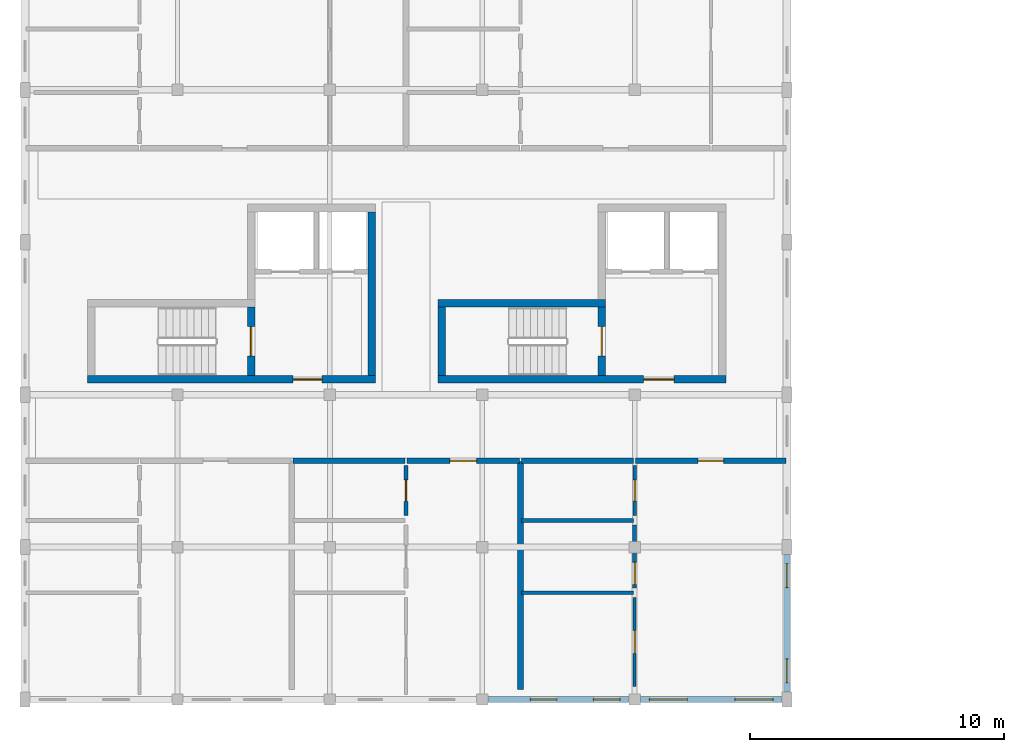
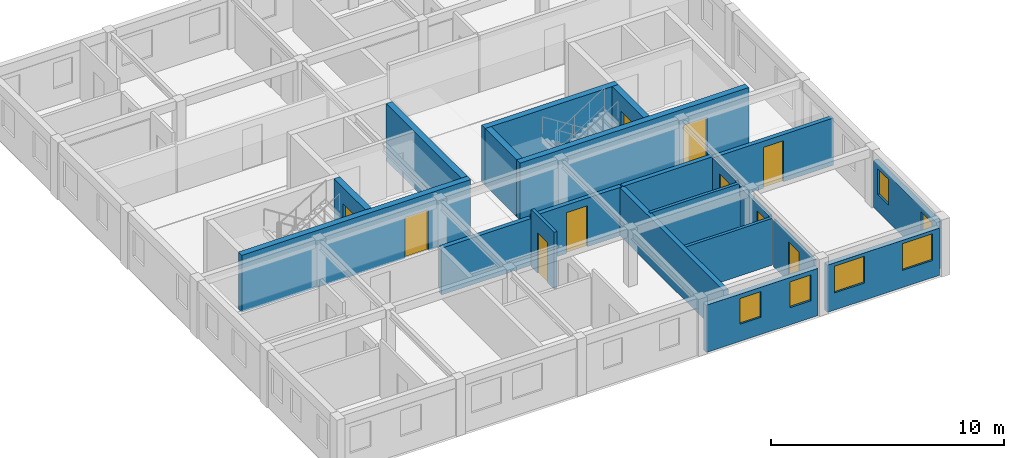
# One storey, part 3 of 9: 21 walls, 10 doors, 6 windows, 16 openings.
"""IFC4 building model written with IfcOpenShell, lengths in metres."""

import ifcopenshell
import ifcopenshell.guid

model = None  # the IFC model being written
_history = None  # IfcOwnerHistory: only IFC2X3 demands one
_inside = {}  # id of a spatial element -> (the spatial element, [elements in it])
_under = {}  # id of a project, library or spatial element -> (it, [spatial elements below it])
_declared = {}  # id of a project -> (the project, [libraries it declares])
_typed = {}  # id of a type object -> (the type object, [elements of that type])
_made_of = {}  # id of a material, layer set ... -> (it, [elements and type objects made of it])


def new_model(schema):
    """Start an empty IFC model of exactly this schema.

    Asked for "IFC4X3", IfcOpenShell would pick the latest addendum, in which some entities
    have other attributes; the version numbers below select the first issue.
    IFC2X3 requires an IfcOwnerHistory on every rooted entity: one is made here for all.
    """
    global model, _history
    if schema == "IFC4X3":
        model = ifcopenshell.file(schema_version=(4, 3, 0, 0))
    else:
        model = ifcopenshell.file(schema=schema)
    _inside.clear()
    _under.clear()
    _declared.clear()
    _typed.clear()
    _made_of.clear()
    _history = None
    if model.schema == "IFC2X3":
        org = make("IfcOrganization", Name="unknown")
        user = make(
            "IfcPersonAndOrganization",
            ThePerson=make("IfcPerson", FamilyName="unknown"),
            TheOrganization=org,
        )
        app = make(
            "IfcApplication",
            ApplicationDeveloper=org,
            Version="unknown",
            ApplicationFullName="unknown",
            ApplicationIdentifier="unknown",
        )
        _history = make(
            "IfcOwnerHistory",
            OwningUser=user,
            OwningApplication=app,
            ChangeAction="ADDED",
            CreationDate=0,
        )
    return model


def make(cls, **values):
    """One entity of the class cls with the attributes given. An attribute that is None is left unset."""
    return model.create_entity(
        cls, **{name: value for name, value in values.items() if value is not None}
    )


def rooted(cls, **values):
    """An entity with a GlobalId (a new one), such as an element, a storey or a relation."""
    return make(cls, GlobalId=ifcopenshell.guid.new(), OwnerHistory=_history, **values)


def si_unit(unit_type, name, prefix=None):
    """IfcSIUnit, for example si_unit("LENGTHUNIT", "METRE", prefix="MILLI")."""
    return make("IfcSIUnit", UnitType=unit_type, Prefix=prefix, Name=name)


def assignment(units):
    """IfcUnitAssignment: the units of a project."""
    return None if units is None else make("IfcUnitAssignment", Units=units)


def point(xyz):
    """IfcCartesianPoint."""
    return None if xyz is None else make("IfcCartesianPoint", Coordinates=xyz)


def direction(xyz):
    """IfcDirection."""
    return None if xyz is None else make("IfcDirection", DirectionRatios=xyz)


def frame(location, z_axis=None, x_axis=None):
    """IfcAxis2Placement3D, a coordinate frame: its origin and axes. An axis left out is left unset."""
    return make(
        "IfcAxis2Placement3D",
        Location=point(location),
        Axis=direction(z_axis),
        RefDirection=direction(x_axis),
    )


def frame_2d(location, x_axis=None):
    """IfcAxis2Placement2D, a coordinate frame in the plane: its origin and x axis."""
    return make(
        "IfcAxis2Placement2D", Location=point(location), RefDirection=direction(x_axis)
    )


def origin():
    """The frame at (0, 0, 0) with its axes left unset."""
    return frame((0.0, 0.0, 0.0))


def place(relative_to, where):
    """IfcLocalPlacement: puts the frame where relative to a parent placement (None: the world)."""
    return make(
        "IfcLocalPlacement", PlacementRelTo=relative_to, RelativePlacement=where
    )


def context(
    kind, dimensions, precision=None, world=None, true_north=None, identifier=None
):
    """IfcGeometricRepresentationContext, for example the 3D "Model" context."""
    return make(
        "IfcGeometricRepresentationContext",
        ContextIdentifier=identifier,
        ContextType=kind,
        CoordinateSpaceDimension=dimensions,
        Precision=precision,
        WorldCoordinateSystem=world,
        TrueNorth=true_north,
    )


def subcontext(parent, identifier, kind, view, scale=None):
    """IfcGeometricRepresentationSubContext, for example "Body" below "Model"."""
    return make(
        "IfcGeometricRepresentationSubContext",
        ContextIdentifier=identifier,
        ContextType=kind,
        ParentContext=parent,
        TargetScale=scale,
        TargetView=view,
    )


def project(units=None, contexts=None):
    """IfcProject with its units and contexts."""
    return rooted(
        "IfcProject",
        Name="project",
        RepresentationContexts=contexts,
        UnitsInContext=assignment(units),
    )


def spatial(cls, under=None, at=None, **own):
    """A site, building, storey or space (cls), placed at a placement, below another one or the project."""
    s = rooted(cls, ObjectPlacement=at, **own)
    if under is not None:
        _under.setdefault(under.id(), (under, []))[1].append(s)
    return s


def profile(cls, at=None, kind="AREA", **sizes):
    """A parametric profile (cls). Its sizes go by their IFC names, for example OverallWidth=200.0."""
    return make(cls, ProfileType=kind, Position=at, **sizes)


def rectangle(**sizes):
    """IfcRectangleProfileDef."""
    return profile("IfcRectangleProfileDef", **sizes)


def extrude(swept, where, along, depth):
    """IfcExtrudedAreaSolid: the profile swept, set in the frame where, extruded along a direction by depth."""
    return make(
        "IfcExtrudedAreaSolid",
        SweptArea=swept,
        Position=where,
        ExtrudedDirection=direction(along),
        Depth=depth,
    )


def shape(context_of_items, identifier, shape_type, items):
    """IfcShapeRepresentation: the items that make up one representation, for example the "Body"."""
    return make(
        "IfcShapeRepresentation",
        ContextOfItems=context_of_items,
        RepresentationIdentifier=identifier,
        RepresentationType=shape_type,
        Items=items,
    )


def material(Name=None, Category=None):
    """IfcMaterial."""
    return make("IfcMaterial", Name=Name, Category=Category)


def layer(
    of_material, thickness, ventilated=None, Name=None, Category=None, Priority=None
):
    """IfcMaterialLayer: one layer of a wall or slab, of a material (None: an air gap)."""
    return make(
        "IfcMaterialLayer",
        Material=of_material,
        LayerThickness=thickness,
        IsVentilated=ventilated,
        Name=Name,
        Category=Category,
        Priority=Priority,
    )


def layer_set(layers, Name=None):
    """IfcMaterialLayerSet."""
    return make("IfcMaterialLayerSet", MaterialLayers=layers, LayerSetName=Name)


def made_of(thing, what):
    """Note that an element or type object is made of a material, layer set ...; save() writes the relation."""
    if what is not None:
        _made_of.setdefault(what.id(), (what, []))[1].append(thing)
    return thing


def type_object(cls, material=None, **own):
    """A type object (cls), such as IfcWallType, which elements share."""
    return made_of(rooted(cls, **own), material)


def element(
    cls,
    number,
    at=None,
    inside=None,
    cuts=None,
    type_object=None,
    material=None,
    context=None,
    identifier="Body",
    shape_type=None,
    held_by="IfcProductDefinitionShape",
    body=None,
    shapes=None,
    **own,
):
    """One element of the class cls, such as IfcWall. Its Tag is "e" and its number.

    at: its placement. inside: the storey or other place that contains it. cuts: it is an
    opening in that element (IfcRelVoidsElement). A single representation is given by context,
    identifier, shape_type and body (its items); several are given by shapes. held_by: the class
    of the entity that holds the representations. save() writes the other relations.
    """
    e = rooted(cls, Tag="e%d" % number, ObjectPlacement=at, **own)
    if body is not None:
        shapes = [shape(context, identifier, shape_type, body)]
    if shapes is not None:
        e.Representation = make(held_by, Representations=shapes)
    if inside is not None:
        _inside.setdefault(inside.id(), (inside, []))[1].append(e)
    if cuts is not None:
        rooted(
            "IfcRelVoidsElement", RelatingBuildingElement=cuts, RelatedOpeningElement=e
        )
    if type_object is not None:
        _typed.setdefault(type_object.id(), (type_object, []))[1].append(e)
    return made_of(e, material)


def fill(opening, filler):
    """IfcRelFillsElement: the door or window that sits in an opening."""
    return rooted(
        "IfcRelFillsElement",
        RelatingOpeningElement=opening,
        RelatedBuildingElement=filler,
    )


def aggregate(whole, parts):
    """IfcRelAggregates: a whole, such as a stair, and the parts it consists of."""
    return rooted("IfcRelAggregates", RelatingObject=whole, RelatedObjects=parts)


def save(model, path):
    """Write the relations noted so far, then the file.

    IfcRelAggregates (storeys below a building ...), IfcRelContainedInSpatialStructure (elements
    in a storey), IfcRelDefinesByType, IfcRelAssociatesMaterial and IfcRelDeclares: one each for
    every whole, place, type object, material and project.
    """
    for whole, parts in _under.values():
        aggregate(whole, parts)
    for where, things in _inside.values():
        rooted(
            "IfcRelContainedInSpatialStructure",
            RelatedElements=things,
            RelatingStructure=where,
        )
    for kind, things in _typed.values():
        rooted("IfcRelDefinesByType", RelatedObjects=things, RelatingType=kind)
    for what, things in _made_of.values():
        rooted("IfcRelAssociatesMaterial", RelatedObjects=things, RelatingMaterial=what)
    for by, libraries in _declared.values():
        rooted("IfcRelDeclares", RelatingContext=by, RelatedDefinitions=libraries)
    model.write(path)


model = new_model("IFC4")

# Units and contexts
model_context = context("Model", 3, precision=1e-05, world=origin(), true_north=direction((0.0, 1.0)))
body_context = subcontext(model_context, "Body", "Model", "MODEL_VIEW")
ifc_project = project(units=[si_unit("LENGTHUNIT", "METRE"), si_unit("AREAUNIT", "SQUARE_METRE"), si_unit("VOLUMEUNIT", "CUBIC_METRE"), si_unit("PLANEANGLEUNIT", "RADIAN"), si_unit("MASSUNIT", "GRAM", prefix="KILO"), si_unit("POWERUNIT", "WATT"), si_unit("THERMODYNAMICTEMPERATUREUNIT", "KELVIN")], contexts=[model_context])

# Site, building, storey
site_placement = place(None, origin())
site = spatial("IfcSite", under=ifc_project, at=site_placement, CompositionType="ELEMENT")
building_placement = place(site_placement, origin())
building = spatial("IfcBuilding", under=site, at=building_placement, Name="Ruvembo Vaulted Housing Court", CompositionType="ELEMENT")
storey_placement = place(building_placement, frame((0.0, 0.0, 36.5)))
storey = spatial("IfcBuildingStorey", under=building, at=storey_placement, Name="L11", CompositionType="ELEMENT", Elevation=36.5)

# Wall, opening, door
ifc_material_1 = material(Name="Concrete C35/45", Category="concrete")
ifc_layer_1 = layer(ifc_material_1, 0.300048828125, Name="Concrete C35/45")
ifc_layer_set_1 = layer_set([ifc_layer_1], Name="Concrete C35/45")
wall_type_1 = type_object("IfcWallType", Name="WL-CORE-300", PredefinedType="SHEAR", material=ifc_layer_set_1)
wall_1_placement = place(storey_placement, frame((2.449951171875, 18.60009765625, 0.0), z_axis=(0.0, 0.0, 1.0), x_axis=(1.0, 0.0, 0.0)))
wall_1 = element("IfcWall", 1, at=wall_1_placement, inside=storey, type_object=wall_type_1, Name="Core A1 L11 South Shear Wall", PredefinedType="SHEAR", context=body_context, shape_type="SweptSolid", body=[
    extrude(rectangle(XDim=11.35009765625, YDim=0.300048828125, at=frame_2d((5.675048828125, 0.0))), origin(), (0.0, 0.0, 1.0), 2.9951171875),
])
opening_1_placement = place(wall_1_placement, frame((8.10009765625, 0.0, 0.0)))
opening_1 = element("IfcOpeningElement", 2, at=opening_1_placement, cuts=wall_1, Name="Opening LD0", PredefinedType="OPENING", context=body_context, shape_type="SweptSolid", body=[
    extrude(rectangle(XDim=1.14990234375, YDim=2.14990234375, at=frame_2d((0.574951171875, 1.074951171875))), frame((0.0, 0.159912109375, 0.0), z_axis=(0.0, -1.0, 0.0), x_axis=(1.0, 0.0, 0.0)), (0.0, 0.0, 1.0), 0.320068359375),
])
ifc_material_2 = material(Name="Galvanised Painted Steel", Category="steel")
door_type_1 = type_object("IfcDoorType", Name="DR-LOB-1150x2150", OperationType="NOTDEFINED", PredefinedType="DOOR", material=ifc_material_2)
door_1_placement = place(opening_1_placement, origin())
door_1 = element("IfcDoor", 3, at=door_1_placement, inside=storey, type_object=door_type_1, Name="Core A1 L11 Lobby Fire Door", OperationType="SINGLE_SWING_LEFT", OverallHeight=2.14990234375, OverallWidth=1.14990234375, PredefinedType="DOOR", context=body_context, shape_type="SweptSolid", body=[
    extrude(rectangle(XDim=1.14990234375, YDim=2.14990234375, at=frame_2d((0.574951171875, 1.074951171875))), frame((0.0, 0.02490234375, 0.0), z_axis=(0.0, -1.0, 0.0), x_axis=(1.0, 0.0, 0.0)), (0.0, 0.0, 1.0), 0.050048828125),
])
fill(opening_1, door_1)

wall_2_placement = place(storey_placement, frame((8.89990234375, 18.75, 0.0), z_axis=(0.0, 0.0, 1.0), x_axis=(0.0, 1.0, 0.0)))
wall_2 = element("IfcWall", 4, at=wall_2_placement, inside=storey, type_object=wall_type_1, Name="Core A1 L11 Stair-Lobby Shear Wall", PredefinedType="SHEAR", context=body_context, shape_type="SweptSolid", body=[
    extrude(rectangle(XDim=2.699951171875, YDim=0.300048828125, at=frame_2d((1.35009765625, 0.0))), origin(), (0.0, 0.0, 1.0), 2.9951171875),
])
opening_2_placement = place(wall_2_placement, frame((0.77490234375, 0.0, 0.0)))
opening_2 = element("IfcOpeningElement", 5, at=opening_2_placement, cuts=wall_2, Name="Opening SD1", PredefinedType="OPENING", context=body_context, shape_type="SweptSolid", body=[
    extrude(rectangle(XDim=1.14990234375, YDim=2.14990234375, at=frame_2d((0.574951171875, 1.074951171875))), frame((0.0, 0.159912109375, 0.0), z_axis=(0.0, -1.0, 0.0), x_axis=(1.0, 0.0, 0.0)), (0.0, 0.0, 1.0), 0.320068359375),
])
door_type_2 = type_object("IfcDoorType", Name="DR-STAIR-1150x2150", OperationType="NOTDEFINED", PredefinedType="DOOR", material=ifc_material_2)
door_2_placement = place(opening_2_placement, origin())
door_2 = element("IfcDoor", 6, at=door_2_placement, inside=storey, type_object=door_type_2, Name="Stair ST-A1 L11 Fire Door", OperationType="SINGLE_SWING_RIGHT", OverallHeight=2.14990234375, OverallWidth=1.14990234375, PredefinedType="DOOR", context=body_context, shape_type="SweptSolid", body=[
    extrude(rectangle(XDim=1.14990234375, YDim=2.14990234375, at=frame_2d((0.574951171875, 1.074951171875))), frame((0.0, 0.02490234375, 0.0), z_axis=(0.0, -1.0, 0.0), x_axis=(1.0, 0.0, 0.0)), (0.0, 0.0, 1.0), 0.050048828125),
])
fill(opening_2, door_2)

# Wall
wall_3_placement = place(storey_placement, frame((13.64990234375, 18.75, 0.0), z_axis=(0.0, 0.0, 1.0), x_axis=(0.0, 1.0, 0.0)))
element("IfcWall", 7, at=wall_3_placement, inside=storey, type_object=wall_type_1, Name="Core A1 L11 East Shear Wall", PredefinedType="SHEAR", context=body_context, shape_type="SweptSolid", body=[
    extrude(rectangle(XDim=6.449951171875, YDim=0.300048828125, at=frame_2d((3.22509765625, 0.0))), origin(), (0.0, 0.0, 1.0), 2.9951171875),
])

# Wall, opening, door
wall_4_placement = place(storey_placement, frame((16.25, 18.60009765625, 0.0), z_axis=(0.0, 0.0, 1.0), x_axis=(1.0, 0.0, 0.0)))
wall_4 = element("IfcWall", 8, at=wall_4_placement, inside=storey, type_object=wall_type_1, Name="Core A2 L11 South Shear Wall", PredefinedType="SHEAR", context=body_context, shape_type="SweptSolid", body=[
    extrude(rectangle(XDim=11.35009765625, YDim=0.300048828125, at=frame_2d((5.675048828125, 0.0))), origin(), (0.0, 0.0, 1.0), 2.9951171875),
])
opening_3_placement = place(wall_4_placement, frame((8.10009765625, 0.0, 0.0)))
opening_3 = element("IfcOpeningElement", 9, at=opening_3_placement, cuts=wall_4, Name="Opening LD3", PredefinedType="OPENING", context=body_context, shape_type="SweptSolid", body=[
    extrude(rectangle(XDim=1.199951171875, YDim=2.14990234375, at=frame_2d((0.60009765625, 1.074951171875))), frame((0.0, 0.159912109375, 0.0), z_axis=(0.0, -1.0, 0.0), x_axis=(1.0, 0.0, 0.0)), (0.0, 0.0, 1.0), 0.320068359375),
])
door_type_3 = type_object("IfcDoorType", Name="DR-LOB-1200x2150", OperationType="NOTDEFINED", PredefinedType="DOOR", material=ifc_material_2)
door_3_placement = place(opening_3_placement, origin())
door_3 = element("IfcDoor", 10, at=door_3_placement, inside=storey, type_object=door_type_3, Name="Core A2 L11 Lobby Fire Door", OperationType="SINGLE_SWING_LEFT", OverallHeight=2.14990234375, OverallWidth=1.199951171875, PredefinedType="DOOR", context=body_context, shape_type="SweptSolid", body=[
    extrude(rectangle(XDim=1.199951171875, YDim=2.14990234375, at=frame_2d((0.60009765625, 1.074951171875))), frame((0.0, 0.02490234375, 0.0), z_axis=(0.0, -1.0, 0.0), x_axis=(1.0, 0.0, 0.0)), (0.0, 0.0, 1.0), 0.050048828125),
])
fill(opening_3, door_3)

# Walls
wall_5_placement = place(storey_placement, frame((22.85009765625, 21.60009765625, 0.0), z_axis=(0.0, 0.0, 1.0), x_axis=(-1.0, 0.0, 0.0)))
element("IfcWall", 11, at=wall_5_placement, inside=storey, type_object=wall_type_1, Name="Core A2 L11 Stair North Shear Wall", PredefinedType="SHEAR", context=body_context, shape_type="SweptSolid", body=[
    extrude(rectangle(XDim=6.60009765625, YDim=0.300048828125, at=frame_2d((3.300048828125, 0.0))), origin(), (0.0, 0.0, 1.0), 2.9951171875),
])
wall_6_placement = place(storey_placement, frame((16.39990234375, 21.449951171875, 0.0), z_axis=(0.0, 0.0, 1.0), x_axis=(0.0, -1.0, 0.0)))
element("IfcWall", 12, at=wall_6_placement, inside=storey, type_object=wall_type_1, Name="Core A2 L11 Stair West Shear Wall", PredefinedType="SHEAR", context=body_context, shape_type="SweptSolid", body=[
    extrude(rectangle(XDim=2.699951171875, YDim=0.300048828125, at=frame_2d((1.35009765625, 0.0))), origin(), (0.0, 0.0, 1.0), 2.9951171875),
])

# Wall, opening, door
wall_7_placement = place(storey_placement, frame((22.699951171875, 18.75, 0.0), z_axis=(0.0, 0.0, 1.0), x_axis=(0.0, 1.0, 0.0)))
wall_7 = element("IfcWall", 13, at=wall_7_placement, inside=storey, type_object=wall_type_1, Name="Core A2 L11 Stair-Lobby Shear Wall", PredefinedType="SHEAR", context=body_context, shape_type="SweptSolid", body=[
    extrude(rectangle(XDim=2.699951171875, YDim=0.300048828125, at=frame_2d((1.35009765625, 0.0))), origin(), (0.0, 0.0, 1.0), 2.9951171875),
])
opening_4_placement = place(wall_7_placement, frame((0.77490234375, 0.0, 0.0)))
opening_4 = element("IfcOpeningElement", 14, at=opening_4_placement, cuts=wall_7, Name="Opening SD1", PredefinedType="OPENING", context=body_context, shape_type="SweptSolid", body=[
    extrude(rectangle(XDim=1.14990234375, YDim=2.14990234375, at=frame_2d((0.574951171875, 1.074951171875))), frame((0.0, 0.159912109375, 0.0), z_axis=(0.0, -1.0, 0.0), x_axis=(1.0, 0.0, 0.0)), (0.0, 0.0, 1.0), 0.320068359375),
])
door_4_placement = place(opening_4_placement, origin())
door_4 = element("IfcDoor", 15, at=door_4_placement, inside=storey, type_object=door_type_2, Name="Stair ST-A2 L11 Fire Door", OperationType="SINGLE_SWING_RIGHT", OverallHeight=2.14990234375, OverallWidth=1.14990234375, PredefinedType="DOOR", context=body_context, shape_type="SweptSolid", body=[
    extrude(rectangle(XDim=1.14990234375, YDim=2.14990234375, at=frame_2d((0.574951171875, 1.074951171875))), frame((0.0, 0.02490234375, 0.0), z_axis=(0.0, -1.0, 0.0), x_axis=(1.0, 0.0, 0.0)), (0.0, 0.0, 1.0), 0.050048828125),
])
fill(opening_4, door_4)

# Wall
ifc_material_3 = material(Name="Concrete Blockwork 210", Category="masonry")
ifc_layer_2 = layer(ifc_material_3, 0.2099609375, Name="Concrete Blockwork 210")
ifc_layer_set_2 = layer_set([ifc_layer_2], Name="Concrete Blockwork 210")
wall_type_2 = type_object("IfcWallType", Name="WL-CORR-210", PredefinedType="SOLIDWALL", material=ifc_layer_set_2)
wall_8_placement = place(storey_placement, frame((10.5400390625, 15.39990234375, 0.0), z_axis=(0.0, 0.0, 1.0), x_axis=(1.0, 0.0, 0.0)))
element("IfcWall", 16, at=wall_8_placement, inside=storey, type_object=wall_type_2, Name="L11 Flat A-L11-S2 Corridor Wall WL-INT-L11-02273", PredefinedType="SOLIDWALL", context=body_context, shape_type="SweptSolid", body=[
    extrude(rectangle(XDim=4.419921875, YDim=0.2099609375, at=frame_2d((2.2099609375, 0.0))), origin(), (0.0, 0.0, 1.0), 2.4580078125),
])

# Wall, opening, door
wall_9_placement = place(storey_placement, frame((15.0400390625, 15.39990234375, 0.0), z_axis=(0.0, 0.0, 1.0), x_axis=(1.0, 0.0, 0.0)))
wall_9 = element("IfcWall", 17, at=wall_9_placement, inside=storey, type_object=wall_type_2, Name="L11 Flat A-L11-S2 Entrance WL-INT-L11-02274", PredefinedType="SOLIDWALL", context=body_context, shape_type="SweptSolid", body=[
    extrude(rectangle(XDim=4.419921875, YDim=0.2099609375, at=frame_2d((2.2099609375, 0.0))), origin(), (0.0, 0.0, 1.0), 2.548095703125),
])
opening_5_placement = place(wall_9_placement, frame((1.68505859375, 0.0, 0.0)))
opening_5 = element("IfcOpeningElement", 18, at=opening_5_placement, cuts=wall_9, Name="Opening FD3", PredefinedType="OPENING", context=body_context, shape_type="SweptSolid", body=[
    extrude(rectangle(XDim=1.050048828125, YDim=2.14990234375, at=frame_2d((0.52490234375, 1.074951171875))), frame((0.0, 0.114990234375, 0.0), z_axis=(0.0, -1.0, 0.0), x_axis=(1.0, 0.0, 0.0)), (0.0, 0.0, 1.0), 0.22998046875),
])
ifc_material_4 = material(Name="FSC Hardwood and Engineered Timber", Category="wood")
door_type_4 = type_object("IfcDoorType", Name="DR-FLAT-1050x2150", OperationType="NOTDEFINED", PredefinedType="DOOR", material=ifc_material_4)
door_5_placement = place(opening_5_placement, origin())
door_5 = element("IfcDoor", 19, at=door_5_placement, inside=storey, type_object=door_type_4, Name="L11 Flat A-L11-S2 Entrance Door DR-INT-L11-01259", OperationType="SINGLE_SWING_LEFT", OverallHeight=2.14990234375, OverallWidth=1.050048828125, PredefinedType="DOOR", context=body_context, shape_type="SweptSolid", body=[
    extrude(rectangle(XDim=1.050048828125, YDim=2.14990234375, at=frame_2d((0.52490234375, 1.074951171875))), frame((0.0, 0.02490234375, 0.0), z_axis=(0.0, -1.0, 0.0), x_axis=(1.0, 0.0, 0.0)), (0.0, 0.0, 1.0), 0.050048828125),
])
fill(opening_5, door_5)

# Wall
wall_10_placement = place(storey_placement, frame((19.5400390625, 15.39990234375, 0.0), z_axis=(0.0, 0.0, 1.0), x_axis=(1.0, 0.0, 0.0)))
element("IfcWall", 20, at=wall_10_placement, inside=storey, type_object=wall_type_2, Name="L11 Flat A-L11-S3 Corridor Wall WL-INT-L11-02280", PredefinedType="SOLIDWALL", context=body_context, shape_type="SweptSolid", body=[
    extrude(rectangle(XDim=4.419921875, YDim=0.2099609375, at=frame_2d((2.2099609375, 0.0))), origin(), (0.0, 0.0, 1.0), 2.548095703125),
])

# Wall, opening, door
wall_11_placement = place(storey_placement, frame((24.0400390625, 15.39990234375, 0.0), z_axis=(0.0, 0.0, 1.0), x_axis=(1.0, 0.0, 0.0)))
wall_11 = element("IfcWall", 21, at=wall_11_placement, inside=storey, type_object=wall_type_2, Name="L11 Flat A-L11-S3 Entrance WL-INT-L11-02281", PredefinedType="SOLIDWALL", context=body_context, shape_type="SweptSolid", body=[
    extrude(rectangle(XDim=5.919921875, YDim=0.2099609375, at=frame_2d((2.9599609375, 0.0))), origin(), (0.0, 0.0, 1.0), 2.47705078125),
])
opening_6_placement = place(wall_11_placement, frame((2.4599609375, 0.0, 0.0)))
opening_6 = element("IfcOpeningElement", 22, at=opening_6_placement, cuts=wall_11, Name="Opening FD1", PredefinedType="OPENING", context=body_context, shape_type="SweptSolid", body=[
    extrude(rectangle(XDim=1.0, YDim=2.14990234375, at=frame_2d((0.5, 1.074951171875))), frame((0.0, 0.114990234375, 0.0), z_axis=(0.0, -1.0, 0.0), x_axis=(1.0, 0.0, 0.0)), (0.0, 0.0, 1.0), 0.22998046875),
])
door_type_5 = type_object("IfcDoorType", Name="DR-FLAT-1000x2150", OperationType="NOTDEFINED", PredefinedType="DOOR", material=ifc_material_4)
door_6_placement = place(opening_6_placement, origin())
door_6 = element("IfcDoor", 23, at=door_6_placement, inside=storey, type_object=door_type_5, Name="L11 Flat A-L11-S3 Entrance Door DR-INT-L11-01263", OperationType="SINGLE_SWING_LEFT", OverallHeight=2.14990234375, OverallWidth=1.0, PredefinedType="DOOR", context=body_context, shape_type="SweptSolid", body=[
    extrude(rectangle(XDim=1.0, YDim=2.14990234375, at=frame_2d((0.5, 1.074951171875))), frame((0.0, 0.02490234375, 0.0), z_axis=(0.0, -1.0, 0.0), x_axis=(1.0, 0.0, 0.0)), (0.0, 0.0, 1.0), 0.050048828125),
])
fill(opening_6, door_6)

# Wall
ifc_material_5 = material(Name="Acoustic Masonry Demising 230", Category="masonry")
ifc_layer_3 = layer(ifc_material_5, 0.22998046875, Name="Acoustic Masonry Demising 230")
ifc_layer_set_3 = layer_set([ifc_layer_3], Name="Acoustic Masonry Demising 230")
wall_type_3 = type_object("IfcWallType", Name="WL-DEM-230", PredefinedType="SOLIDWALL", material=ifc_layer_set_3)
wall_12_placement = place(storey_placement, frame((19.5, 6.389892578125, 0.0), z_axis=(0.0, 0.0, 1.0), x_axis=(0.0, 1.0, 0.0)))
element("IfcWall", 24, at=wall_12_placement, inside=storey, type_object=wall_type_3, Name="L11 Demising A-L11-S2 WL-INT-L11-02272", PredefinedType="SOLIDWALL", context=body_context, shape_type="SweptSolid", body=[
    extrude(rectangle(XDim=8.97021484375, YDim=0.22998046875, at=frame_2d((4.485107421875, 0.0))), origin(), (0.0, 0.0, 1.0), 2.527099609375),
])

# Wall, openings, windows
ifc_material_6 = material(Name="Rendered Masonry 245", Category="masonry")
ifc_layer_4 = layer(ifc_material_6, 0.2451171875, Name="Rendered Masonry 245")
ifc_layer_set_4 = layer_set([ifc_layer_4], Name="Rendered Masonry 245")
wall_type_4 = type_object("IfcWallType", Name="WL-EXT-245", PredefinedType="STANDARD", material=ifc_layer_set_4)
wall_13_placement = place(storey_placement, frame((18.22509765625, 6.0, 0.0), z_axis=(0.0, 0.0, 1.0), x_axis=(1.0, 0.0, 0.0)))
wall_13 = element("IfcWall", 25, at=wall_13_placement, inside=storey, type_object=wall_type_4, Name="Block A L11 Exterior Wall STREET #4", PredefinedType="STANDARD", context=body_context, shape_type="SweptSolid", body=[
    extrude(rectangle(XDim=5.5498046875, YDim=0.2451171875, at=frame_2d((2.77490234375, 0.0))), origin(), (0.0, 0.0, 1.0), 2.47705078125),
])
opening_7_placement = place(wall_13_placement, frame((1.6650390625, 0.0, 0.89990234375)))
opening_7 = element("IfcOpeningElement", 26, at=opening_7_placement, cuts=wall_13, Name="Opening W09", PredefinedType="OPENING", context=body_context, shape_type="SweptSolid", body=[
    extrude(rectangle(XDim=1.050048828125, YDim=1.35009765625, at=frame_2d((0.52490234375, 0.675048828125))), frame((0.0, 0.132568359375, 0.0), z_axis=(0.0, -1.0, 0.0), x_axis=(1.0, 0.0, 0.0)), (0.0, 0.0, 1.0), 0.26513671875),
])
opening_8_placement = place(wall_13_placement, frame((4.14990234375, 0.0, 0.89990234375)))
opening_8 = element("IfcOpeningElement", 27, at=opening_8_placement, cuts=wall_13, Name="Opening W09", PredefinedType="OPENING", context=body_context, shape_type="SweptSolid", body=[
    extrude(rectangle(XDim=1.050048828125, YDim=1.35009765625, at=frame_2d((0.52490234375, 0.675048828125))), frame((0.0, 0.132568359375, 0.0), z_axis=(0.0, -1.0, 0.0), x_axis=(1.0, 0.0, 0.0)), (0.0, 0.0, 1.0), 0.26513671875),
])
ifc_material_7 = material(Name="Double Solar-Control Glazing in Aluminium Frame", Category="aluminium")
window_type_1 = type_object("IfcWindowType", Name="WIN-1050x1350", PartitioningType="SINGLE_PANEL", PredefinedType="WINDOW", material=ifc_material_7)
window_1_placement = place(opening_7_placement, origin())
window_1 = element("IfcWindow", 28, at=window_1_placement, inside=storey, type_object=window_type_1, Name="Block A L11 Window #477", OverallHeight=1.35009765625, OverallWidth=1.050048828125, PartitioningType="SINGLE_PANEL", PredefinedType="WINDOW", context=body_context, shape_type="SweptSolid", body=[
    extrude(rectangle(XDim=1.050048828125, YDim=1.35009765625, at=frame_2d((0.52490234375, 0.675048828125))), frame((0.0, 0.030029296875, 0.0), z_axis=(0.0, -1.0, 0.0), x_axis=(1.0, 0.0, 0.0)), (0.0, 0.0, 1.0), 0.06005859375),
])
fill(opening_7, window_1)
window_2_placement = place(opening_8_placement, origin())
window_2 = element("IfcWindow", 29, at=window_2_placement, inside=storey, type_object=window_type_1, Name="Block A L11 Window #478", OverallHeight=1.35009765625, OverallWidth=1.050048828125, PartitioningType="SINGLE_PANEL", PredefinedType="WINDOW", context=body_context, shape_type="SweptSolid", body=[
    extrude(rectangle(XDim=1.050048828125, YDim=1.35009765625, at=frame_2d((0.52490234375, 0.675048828125))), frame((0.0, 0.030029296875, 0.0), z_axis=(0.0, -1.0, 0.0), x_axis=(1.0, 0.0, 0.0)), (0.0, 0.0, 1.0), 0.06005859375),
])
fill(opening_8, window_2)

wall_14_placement = place(storey_placement, frame((24.22509765625, 6.0, 0.0), z_axis=(0.0, 0.0, 1.0), x_axis=(1.0, 0.0, 0.0)))
wall_14 = element("IfcWall", 30, at=wall_14_placement, inside=storey, type_object=wall_type_4, Name="Block A L11 Exterior Wall STREET #5", PredefinedType="STANDARD", context=body_context, shape_type="SweptSolid", body=[
    extrude(rectangle(XDim=5.574951171875, YDim=0.2451171875, at=frame_2d((2.78759765625, 0.0))), origin(), (0.0, 0.0, 1.0), 2.47705078125),
])
opening_9_placement = place(wall_14_placement, frame((0.35009765625, 0.0, 0.89990234375)))
opening_9 = element("IfcOpeningElement", 31, at=opening_9_placement, cuts=wall_14, Name="Opening W18", PredefinedType="OPENING", context=body_context, shape_type="SweptSolid", body=[
    extrude(rectangle(XDim=1.5, YDim=1.39990234375, at=frame_2d((0.75, 0.699951171875))), frame((0.0, 0.132568359375, 0.0), z_axis=(0.0, -1.0, 0.0), x_axis=(1.0, 0.0, 0.0)), (0.0, 0.0, 1.0), 0.26513671875),
])
opening_10_placement = place(wall_14_placement, frame((3.72509765625, 0.0, 0.89990234375)))
opening_10 = element("IfcOpeningElement", 32, at=opening_10_placement, cuts=wall_14, Name="Opening W18", PredefinedType="OPENING", context=body_context, shape_type="SweptSolid", body=[
    extrude(rectangle(XDim=1.5, YDim=1.39990234375, at=frame_2d((0.75, 0.699951171875))), frame((0.0, 0.132568359375, 0.0), z_axis=(0.0, -1.0, 0.0), x_axis=(1.0, 0.0, 0.0)), (0.0, 0.0, 1.0), 0.26513671875),
])
window_type_2 = type_object("IfcWindowType", Name="WIN-1500x1400", PartitioningType="SINGLE_PANEL", PredefinedType="WINDOW", material=ifc_material_7)
window_3_placement = place(opening_9_placement, origin())
window_3 = element("IfcWindow", 33, at=window_3_placement, inside=storey, type_object=window_type_2, Name="Block A L11 Window #479", OverallHeight=1.39990234375, OverallWidth=1.5, PartitioningType="SINGLE_PANEL", PredefinedType="WINDOW", context=body_context, shape_type="SweptSolid", body=[
    extrude(rectangle(XDim=1.5, YDim=1.39990234375, at=frame_2d((0.75, 0.699951171875))), frame((0.0, 0.030029296875, 0.0), z_axis=(0.0, -1.0, 0.0), x_axis=(1.0, 0.0, 0.0)), (0.0, 0.0, 1.0), 0.06005859375),
])
fill(opening_9, window_3)
window_4_placement = place(opening_10_placement, origin())
window_4 = element("IfcWindow", 34, at=window_4_placement, inside=storey, type_object=window_type_2, Name="Block A L11 Window #480", OverallHeight=1.39990234375, OverallWidth=1.5, PartitioningType="SINGLE_PANEL", PredefinedType="WINDOW", context=body_context, shape_type="SweptSolid", body=[
    extrude(rectangle(XDim=1.5, YDim=1.39990234375, at=frame_2d((0.75, 0.699951171875))), frame((0.0, 0.030029296875, 0.0), z_axis=(0.0, -1.0, 0.0), x_axis=(1.0, 0.0, 0.0)), (0.0, 0.0, 1.0), 0.06005859375),
])
fill(opening_10, window_4)

wall_15_placement = place(storey_placement, frame((30.0, 6.300048828125, 0.0), z_axis=(0.0, 0.0, 1.0), x_axis=(0.0, 1.0, 0.0)))
wall_15 = element("IfcWall", 35, at=wall_15_placement, inside=storey, type_object=wall_type_4, Name="Block A L11 Exterior Wall EAST #1", PredefinedType="STANDARD", context=body_context, shape_type="SweptSolid", body=[
    extrude(rectangle(XDim=5.39990234375, YDim=0.2451171875, at=frame_2d((2.699951171875, 0.0))), origin(), (0.0, 0.0, 1.0), 2.47705078125),
])
opening_11_placement = place(wall_15_placement, frame((0.35009765625, 0.0, 0.89990234375)))
opening_11 = element("IfcOpeningElement", 36, at=opening_11_placement, cuts=wall_15, Name="Opening W07", PredefinedType="OPENING", context=body_context, shape_type="SweptSolid", body=[
    extrude(rectangle(XDim=0.949951171875, YDim=1.35009765625, at=frame_2d((0.47509765625, 0.675048828125))), frame((0.0, 0.132568359375, 0.0), z_axis=(0.0, -1.0, 0.0), x_axis=(1.0, 0.0, 0.0)), (0.0, 0.0, 1.0), 0.26513671875),
])
opening_12_placement = place(wall_15_placement, frame((4.10009765625, 0.0, 0.89990234375)))
opening_12 = element("IfcOpeningElement", 37, at=opening_12_placement, cuts=wall_15, Name="Opening W07", PredefinedType="OPENING", context=body_context, shape_type="SweptSolid", body=[
    extrude(rectangle(XDim=0.949951171875, YDim=1.35009765625, at=frame_2d((0.47509765625, 0.675048828125))), frame((0.0, 0.132568359375, 0.0), z_axis=(0.0, -1.0, 0.0), x_axis=(1.0, 0.0, 0.0)), (0.0, 0.0, 1.0), 0.26513671875),
])
window_type_3 = type_object("IfcWindowType", Name="WIN-0950x1350", PartitioningType="SINGLE_PANEL", PredefinedType="WINDOW", material=ifc_material_7)
window_5_placement = place(opening_11_placement, origin())
window_5 = element("IfcWindow", 38, at=window_5_placement, inside=storey, type_object=window_type_3, Name="Block A L11 Window #481", OverallHeight=1.35009765625, OverallWidth=0.949951171875, PartitioningType="SINGLE_PANEL", PredefinedType="WINDOW", context=body_context, shape_type="SweptSolid", body=[
    extrude(rectangle(XDim=0.949951171875, YDim=1.35009765625, at=frame_2d((0.47509765625, 0.675048828125))), frame((0.0, 0.030029296875, 0.0), z_axis=(0.0, -1.0, 0.0), x_axis=(1.0, 0.0, 0.0)), (0.0, 0.0, 1.0), 0.06005859375),
])
fill(opening_11, window_5)
window_6_placement = place(opening_12_placement, origin())
window_6 = element("IfcWindow", 39, at=window_6_placement, inside=storey, type_object=window_type_3, Name="Block A L11 Window #482", OverallHeight=1.35009765625, OverallWidth=0.949951171875, PartitioningType="SINGLE_PANEL", PredefinedType="WINDOW", context=body_context, shape_type="SweptSolid", body=[
    extrude(rectangle(XDim=0.949951171875, YDim=1.35009765625, at=frame_2d((0.47509765625, 0.675048828125))), frame((0.0, 0.030029296875, 0.0), z_axis=(0.0, -1.0, 0.0), x_axis=(1.0, 0.0, 0.0)), (0.0, 0.0, 1.0), 0.06005859375),
])
fill(opening_12, window_6)

# Wall, opening, door
ifc_material_8 = material(Name="Plasterboard Stud Partition 125", Category="gypsum")
ifc_layer_5 = layer(ifc_material_8, 0.125, Name="Plasterboard Stud Partition 125")
ifc_layer_set_5 = layer_set([ifc_layer_5], Name="Plasterboard Stud Partition 125")
wall_type_5 = type_object("IfcWallType", Name="WL-PART-125", PredefinedType="PARTITIONING", material=ifc_layer_set_5)
wall_16_placement = place(storey_placement, frame((24.0, 6.510009765625, 0.0), z_axis=(0.0, 0.0, 1.0), x_axis=(0.0, 1.0, 0.0)))
wall_16 = element("IfcWall", 40, at=wall_16_placement, inside=storey, type_object=wall_type_5, Name="L11 Flat A-L11-S3 Bedroom 1 WL-INT-L11-02282", PredefinedType="PARTITIONING", context=body_context, shape_type="SweptSolid", body=[
    extrude(rectangle(XDim=3.5, YDim=0.125, at=frame_2d((1.75, 0.0))), origin(), (0.0, 0.0, 1.0), 2.4580078125),
])
opening_13_placement = place(wall_16_placement, frame((1.300048828125, 0.0, 0.0)))
opening_13 = element("IfcOpeningElement", 41, at=opening_13_placement, cuts=wall_16, Name="Opening ID1", PredefinedType="OPENING", context=body_context, shape_type="SweptSolid", body=[
    extrude(rectangle(XDim=0.89990234375, YDim=2.10009765625, at=frame_2d((0.449951171875, 1.050048828125))), frame((0.0, 0.072509765625, 0.0), z_axis=(0.0, -1.0, 0.0), x_axis=(1.0, 0.0, 0.0)), (0.0, 0.0, 1.0), 0.14501953125),
])
door_type_6 = type_object("IfcDoorType", Name="DR-ROOM-0900x2100", OperationType="NOTDEFINED", PredefinedType="DOOR", material=ifc_material_4)
door_7_placement = place(opening_13_placement, origin())
door_7 = element("IfcDoor", 42, at=door_7_placement, inside=storey, type_object=door_type_6, Name="L11 Flat A-L11-S3 Bedroom 1 Door DR-INT-L11-01264", OperationType="SINGLE_SWING_RIGHT", OverallHeight=2.10009765625, OverallWidth=0.89990234375, PredefinedType="DOOR", context=body_context, shape_type="SweptSolid", body=[
    extrude(rectangle(XDim=0.89990234375, YDim=2.10009765625, at=frame_2d((0.449951171875, 1.050048828125))), frame((0.0, 0.02490234375, 0.0), z_axis=(0.0, -1.0, 0.0), x_axis=(1.0, 0.0, 0.0)), (0.0, 0.0, 1.0), 0.050048828125),
])
fill(opening_13, door_7)

ifc_material_9 = material(Name="Moisture-Resistant Wet Partition 150", Category="gypsum")
ifc_layer_6 = layer(ifc_material_9, 0.14990234375, Name="Moisture-Resistant Wet Partition 150")
ifc_layer_set_6 = layer_set([ifc_layer_6], Name="Moisture-Resistant Wet Partition 150")
wall_type_6 = type_object("IfcWallType", Name="WL-PART-150", PredefinedType="PARTITIONING", material=ifc_layer_set_6)
wall_17_placement = place(storey_placement, frame((15.0, 13.239990234375, 0.0), z_axis=(0.0, 0.0, 1.0), x_axis=(0.0, 1.0, 0.0)))
wall_17 = element("IfcWall", 43, at=wall_17_placement, inside=storey, type_object=wall_type_6, Name="L11 Flat A-L11-S2 Bathroom WL-INT-L11-02277", PredefinedType="PARTITIONING", context=body_context, shape_type="SweptSolid", body=[
    extrude(rectangle(XDim=1.969970703125, YDim=0.14990234375, at=frame_2d((0.98486328125, 0.0))), origin(), (0.0, 0.0, 1.0), 2.9951171875),
])
opening_14_placement = place(wall_17_placement, frame((0.56005859375, 0.0, 0.0)))
opening_14 = element("IfcOpeningElement", 44, at=opening_14_placement, cuts=wall_17, Name="Opening ID2", PredefinedType="OPENING", context=body_context, shape_type="SweptSolid", body=[
    extrude(rectangle(XDim=0.85009765625, YDim=2.10009765625, at=frame_2d((0.425048828125, 1.050048828125))), frame((0.0, 0.0849609375, 0.0), z_axis=(0.0, -1.0, 0.0), x_axis=(1.0, 0.0, 0.0)), (0.0, 0.0, 1.0), 0.169921875),
])
door_type_7 = type_object("IfcDoorType", Name="DR-WET-0850x2100", OperationType="NOTDEFINED", PredefinedType="DOOR", material=ifc_material_4)
door_8_placement = place(opening_14_placement, origin())
door_8 = element("IfcDoor", 45, at=door_8_placement, inside=storey, type_object=door_type_7, Name="L11 Flat A-L11-S2 Bathroom Door DR-INT-L11-01262", OperationType="SINGLE_SWING_RIGHT", OverallHeight=2.10009765625, OverallWidth=0.85009765625, PredefinedType="DOOR", context=body_context, shape_type="SweptSolid", body=[
    extrude(rectangle(XDim=0.85009765625, YDim=2.10009765625, at=frame_2d((0.425048828125, 1.050048828125))), frame((0.0, 0.02490234375, 0.0), z_axis=(0.0, -1.0, 0.0), x_axis=(1.0, 0.0, 0.0)), (0.0, 0.0, 1.0), 0.050048828125),
])
fill(opening_14, door_8)

wall_18_placement = place(storey_placement, frame((24.0, 13.239990234375, 0.0), z_axis=(0.0, 0.0, 1.0), x_axis=(0.0, 1.0, 0.0)))
wall_18 = element("IfcWall", 46, at=wall_18_placement, inside=storey, type_object=wall_type_6, Name="L11 Flat A-L11-S3 Bathroom WL-INT-L11-02284", PredefinedType="PARTITIONING", context=body_context, shape_type="SweptSolid", body=[
    extrude(rectangle(XDim=1.969970703125, YDim=0.14990234375, at=frame_2d((0.98486328125, 0.0))), origin(), (0.0, 0.0, 1.0), 2.548095703125),
])
opening_15_placement = place(wall_18_placement, frame((0.574951171875, 0.0, 0.0)))
opening_15 = element("IfcOpeningElement", 47, at=opening_15_placement, cuts=wall_18, Name="Opening ID4", PredefinedType="OPENING", context=body_context, shape_type="SweptSolid", body=[
    extrude(rectangle(XDim=0.820068359375, YDim=2.080078125, at=frame_2d((0.41015625, 1.0400390625))), frame((0.0, 0.0849609375, 0.0), z_axis=(0.0, -1.0, 0.0), x_axis=(1.0, 0.0, 0.0)), (0.0, 0.0, 1.0), 0.169921875),
])
door_type_8 = type_object("IfcDoorType", Name="DR-WET-0820x2080", OperationType="NOTDEFINED", PredefinedType="DOOR", material=ifc_material_4)
door_9_placement = place(opening_15_placement, origin())
door_9 = element("IfcDoor", 48, at=door_9_placement, inside=storey, type_object=door_type_8, Name="L11 Flat A-L11-S3 Bathroom Door DR-INT-L11-01266", OperationType="SINGLE_SWING_RIGHT", OverallHeight=2.080078125, OverallWidth=0.820068359375, PredefinedType="DOOR", context=body_context, shape_type="SweptSolid", body=[
    extrude(rectangle(XDim=0.820068359375, YDim=2.080078125, at=frame_2d((0.41015625, 1.0400390625))), frame((0.0, 0.02490234375, 0.0), z_axis=(0.0, -1.0, 0.0), x_axis=(1.0, 0.0, 0.0)), (0.0, 0.0, 1.0), 0.050048828125),
])
fill(opening_15, door_9)

# Walls
wall_19_placement = place(storey_placement, frame((19.5400390625, 10.199951171875, 0.0), z_axis=(0.0, 0.0, 1.0), x_axis=(1.0, 0.0, 0.0)))
element("IfcWall", 49, at=wall_19_placement, inside=storey, type_object=wall_type_6, Name="L11 Flat A-L11-S3 Wet Wall 1 WL-INT-L11-02285", PredefinedType="PARTITIONING", context=body_context, shape_type="SweptSolid", body=[
    extrude(rectangle(XDim=4.419921875, YDim=0.14990234375, at=frame_2d((2.2099609375, 0.0))), origin(), (0.0, 0.0, 1.0), 2.4580078125),
])
wall_20_placement = place(storey_placement, frame((19.5400390625, 13.050048828125, 0.0), z_axis=(0.0, 0.0, 1.0), x_axis=(1.0, 0.0, 0.0)))
element("IfcWall", 50, at=wall_20_placement, inside=storey, type_object=wall_type_6, Name="L11 Flat A-L11-S3 Wet Wall 2 WL-INT-L11-02286", PredefinedType="PARTITIONING", context=body_context, shape_type="SweptSolid", body=[
    extrude(rectangle(XDim=4.419921875, YDim=0.14990234375, at=frame_2d((2.2099609375, 0.0))), origin(), (0.0, 0.0, 1.0), 2.548095703125),
])

# Wall, opening, door
ifc_material_10 = material(Name="Acoustic Service Chase Wall 160", Category="gypsum")
ifc_layer_7 = layer(ifc_material_10, 0.159912109375, Name="Acoustic Service Chase Wall 160")
ifc_layer_set_7 = layer_set([ifc_layer_7], Name="Acoustic Service Chase Wall 160")
wall_type_7 = type_object("IfcWallType", Name="WL-PLUMB-160", PredefinedType="PLUMBINGWALL", material=ifc_layer_set_7)
wall_21_placement = place(storey_placement, frame((24.0, 10.389892578125, 0.0), z_axis=(0.0, 0.0, 1.0), x_axis=(0.0, 1.0, 0.0)))
wall_21 = element("IfcWall", 51, at=wall_21_placement, inside=storey, type_object=wall_type_7, Name="L11 Flat A-L11-S3 Kitchen WL-INT-L11-02283", PredefinedType="PLUMBINGWALL", context=body_context, shape_type="SweptSolid", body=[
    extrude(rectangle(XDim=2.47021484375, YDim=0.159912109375, at=frame_2d((1.235107421875, 0.0))), origin(), (0.0, 0.0, 1.0), 2.4580078125),
])
opening_16_placement = place(wall_21_placement, frame((0.1298828125, 0.0, 0.0)))
opening_16 = element("IfcOpeningElement", 52, at=opening_16_placement, cuts=wall_21, Name="Opening ID3", PredefinedType="OPENING", context=body_context, shape_type="SweptSolid", body=[
    extrude(rectangle(XDim=0.8798828125, YDim=2.10009765625, at=frame_2d((0.43994140625, 1.050048828125))), frame((0.0, 0.08984375, 0.0), z_axis=(0.0, -1.0, 0.0), x_axis=(1.0, 0.0, 0.0)), (0.0, 0.0, 1.0), 0.179931640625),
])
door_type_9 = type_object("IfcDoorType", Name="DR-ROOM-0880x2100", OperationType="NOTDEFINED", PredefinedType="DOOR", material=ifc_material_4)
door_10_placement = place(opening_16_placement, origin())
door_10 = element("IfcDoor", 53, at=door_10_placement, inside=storey, type_object=door_type_9, Name="L11 Flat A-L11-S3 Kitchen Door DR-INT-L11-01265", OperationType="SINGLE_SWING_LEFT", OverallHeight=2.10009765625, OverallWidth=0.8798828125, PredefinedType="DOOR", context=body_context, shape_type="SweptSolid", body=[
    extrude(rectangle(XDim=0.8798828125, YDim=2.10009765625, at=frame_2d((0.43994140625, 1.050048828125))), frame((0.0, 0.02490234375, 0.0), z_axis=(0.0, -1.0, 0.0), x_axis=(1.0, 0.0, 0.0)), (0.0, 0.0, 1.0), 0.050048828125),
])
fill(opening_16, door_10)

save(model, "model.ifc")
